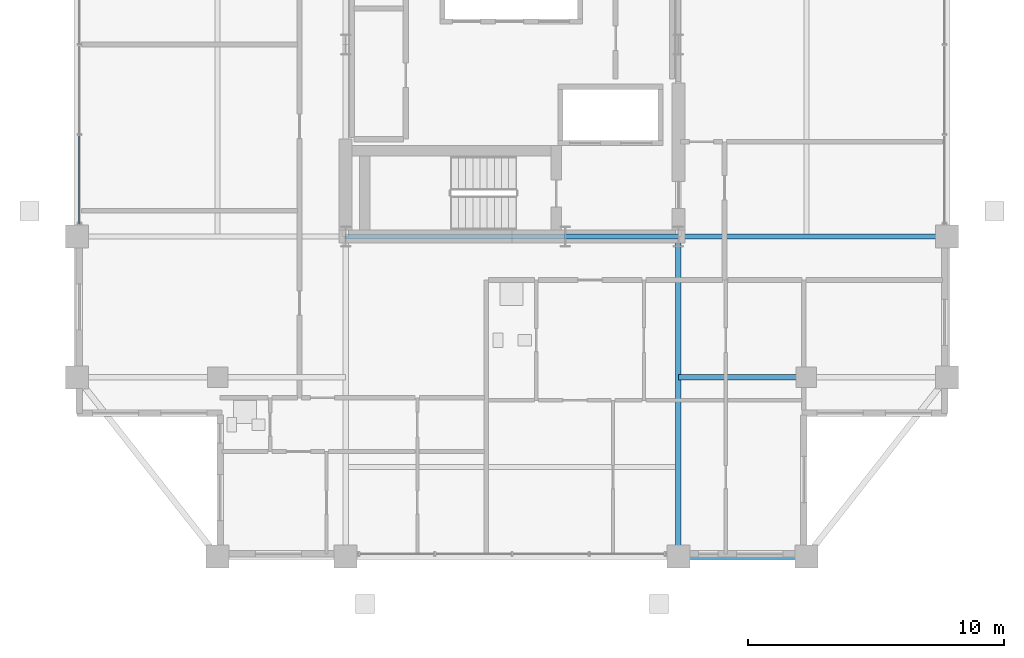
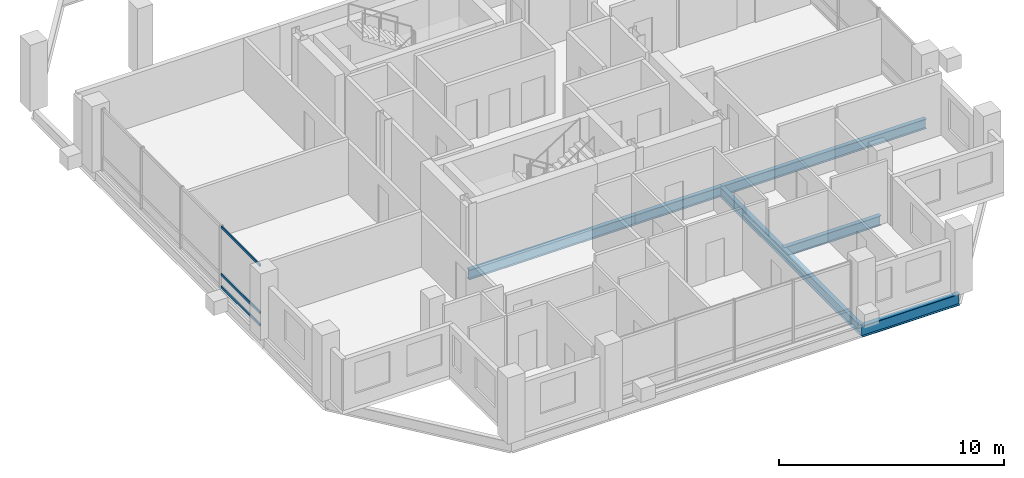
# One storey, part 5 of 16: 6 beams, 3 members, 1 element without a shape of its own.
"""IFC4 building model written with IfcOpenShell, lengths in metres."""

from ifc_helpers import new_model, si_unit, direction, frame, origin, origin_2d, place, context, subcontext, project, spatial, hollow_rectangle, i_section, extrude, material, layer, layer_set, material_profile, profile_set, type_object, element, aggregate, save


model = new_model("IFC4")

# Units and contexts
model_context = context("Model", 3, precision=1e-05, world=origin(), true_north=direction((0.0, 1.0)))
body_context = subcontext(model_context, "Body", "Model", "MODEL_VIEW")
ifc_project = project(units=[si_unit("LENGTHUNIT", "METRE"), si_unit("AREAUNIT", "SQUARE_METRE"), si_unit("VOLUMEUNIT", "CUBIC_METRE"), si_unit("PLANEANGLEUNIT", "RADIAN"), si_unit("MASSUNIT", "GRAM", prefix="KILO")], contexts=[model_context])

# Site, building, storey
site_placement = place(None, origin())
site = spatial("IfcSite", under=ifc_project, at=site_placement, CompositionType="ELEMENT")
building_placement = place(site_placement, origin())
building = spatial("IfcBuilding", under=site, at=building_placement, Name="Barlavira Tower and Art Museum", CompositionType="ELEMENT")
storey_placement = place(building_placement, frame((0.0, 0.0, 265.5)))
storey = spatial("IfcBuildingStorey", under=building, at=storey_placement, Name="L69", CompositionType="ELEMENT", Elevation=265.5)

# Curtain wall, members
ifc_material_1 = material(Name="Low-iron coastal laminated glass", Category="glass")
ifc_layer = layer(ifc_material_1, 0.2099609375, Name="Low-iron coastal laminated glass")
ifc_layer_set = layer_set([ifc_layer], Name="Low-iron coastal laminated glass")
curtain_wall_type = type_object("IfcCurtainWallType", Name="Pale-Metal Unitised Curtain Wall Zone 4", PredefinedType="NOTDEFINED", material=ifc_layer_set)
curtain_wall_placement = place(storey_placement, origin())
curtain_wall = element("IfcCurtainWall", 1, at=curtain_wall_placement, inside=storey, type_object=curtain_wall_type, Name="L69 Curtain Wall CW4-L69-W-B2", PredefinedType="NOTDEFINED")
ifc_material_2 = material(Name="Pale anodised aluminium", Category="aluminium")
ifc_material_profile_1 = material_profile(ifc_material_2, hollow_rectangle(XDim=0.06494140625, YDim=0.139892578125, WallThickness=0.00390625, at=origin_2d()), Name="ALU-TRAN 65x140x4")
ifc_profile_set_1 = profile_set([ifc_material_profile_1], Name="Pale anodised aluminium")
member_type = type_object("IfcMemberType", Name="Curtain Wall Pale-Metal Transom 65x140", PredefinedType="USERDEFINED", material=ifc_profile_set_1)
member_1_placement = place(storey_placement, frame((-16.89990234375, -3.56005859375, 0.070068359375), z_axis=(0.0, -1.0, 0.0), x_axis=(1.0, 0.0, 0.0)))
member_1 = element("IfcMember", 2, at=member_1_placement, type_object=member_type, Name="CW4-L69-W-B2 Transom 3.1", ObjectType="TRANSOM", PredefinedType="USERDEFINED", context=body_context, shape_type="SweptSolid", body=[
    extrude(hollow_rectangle(XDim=0.06494140625, YDim=0.139892578125, WallThickness=0.00390625, at=origin_2d()), origin(), (0.0, 0.0, 1.0), 3.425048828125),
])
member_2_placement = place(storey_placement, frame((-16.89990234375, -3.56005859375, 0.743896484375), z_axis=(0.0, -1.0, 0.0), x_axis=(1.0, 0.0, 0.0)))
member_2 = element("IfcMember", 3, at=member_2_placement, type_object=member_type, Name="CW4-L69-W-B2 Transom 3.2", ObjectType="TRANSOM", PredefinedType="USERDEFINED", context=body_context, shape_type="SweptSolid", body=[
    extrude(hollow_rectangle(XDim=0.06494140625, YDim=0.139892578125, WallThickness=0.00390625, at=origin_2d()), origin(), (0.0, 0.0, 1.0), 3.425048828125),
])
member_3_placement = place(storey_placement, frame((-16.89990234375, -3.56005859375, 3.31005859375), z_axis=(0.0, -1.0, 0.0), x_axis=(1.0, 0.0, 0.0)))
member_3 = element("IfcMember", 4, at=member_3_placement, type_object=member_type, Name="CW4-L69-W-B2 Transom 3.3", ObjectType="TRANSOM", PredefinedType="USERDEFINED", context=body_context, shape_type="SweptSolid", body=[
    extrude(hollow_rectangle(XDim=0.06494140625, YDim=0.139892578125, WallThickness=0.00390625, at=origin_2d()), origin(), (0.0, 0.0, 1.0), 3.425048828125),
])
aggregate(curtain_wall, [member_1, member_2, member_3])

# Beams
ifc_material_3 = material(Name="Steel S355", Category="steel")
ifc_material_profile_2 = material_profile(ifc_material_3, i_section(OverallWidth=0.22998046875, OverallDepth=0.616943359375, WebThickness=0.01318359375, FlangeThickness=0.022216796875, at=origin_2d()), Name="W610x140.0")
ifc_profile_set_2 = profile_set([ifc_material_profile_2], Name="Steel S355")
beam_type_1 = type_object("IfcBeamType", Name="Upper Shaft Spandrel Edge Beam W610x140 Steel S355", PredefinedType="SPANDREL", material=ifc_profile_set_2)
beam_1_placement = place(storey_placement, frame((6.5, -20.0, -0.528564453125), z_axis=(1.0, 0.0, 0.0), x_axis=(0.0, 1.0, 0.0)))
element("IfcBeam", 5, at=beam_1_placement, inside=storey, type_object=beam_type_1, Name="L69 Spandrel 3", PredefinedType="SPANDREL", context=body_context, shape_type="SweptSolid", body=[
    extrude(i_section(OverallWidth=0.22998046875, OverallDepth=0.616943359375, WebThickness=0.01318359375, FlangeThickness=0.022216796875, at=origin_2d()), origin(), (0.0, 0.0, 1.0), 5.0),
])
ifc_material_profile_3 = material_profile(ifc_material_3, i_section(OverallWidth=0.2109375, OverallDepth=0.5390625, WebThickness=0.01171875, FlangeThickness=0.018798828125, at=origin_2d()), Name="W530x109.0")
ifc_profile_set_3 = profile_set([ifc_material_profile_3], Name="Steel S355")
beam_type_2 = type_object("IfcBeamType", Name="Zone 3-4 Primary Floor Girder W530x109 Steel S355", PredefinedType="BEAM", material=ifc_profile_set_3)
beam_2_placement = place(storey_placement, frame((-6.5, -7.5, -0.489501953125), z_axis=(1.0, 0.0, 0.0), x_axis=(0.0, 1.0, 0.0)))
element("IfcBeam", 6, at=beam_2_placement, inside=storey, type_object=beam_type_2, Name="L69 Girder C-S1", PredefinedType="BEAM", context=body_context, shape_type="SweptSolid", body=[
    extrude(i_section(OverallWidth=0.2109375, OverallDepth=0.5390625, WebThickness=0.01171875, FlangeThickness=0.018798828125, at=origin_2d()), origin(), (0.0, 0.0, 1.0), 8.580078125),
])
beam_3_placement = place(storey_placement, frame((2.080078125, -7.5, -0.489501953125), z_axis=(1.0, 0.0, 0.0), x_axis=(0.0, 1.0, 0.0)))
element("IfcBeam", 7, at=beam_3_placement, inside=storey, type_object=beam_type_2, Name="L69 Girder C-S2", PredefinedType="BEAM", context=body_context, shape_type="SweptSolid", body=[
    extrude(i_section(OverallWidth=0.2109375, OverallDepth=0.5390625, WebThickness=0.01171875, FlangeThickness=0.018798828125, at=origin_2d()), origin(), (0.0, 0.0, 1.0), 4.419921875),
])
beam_4_placement = place(storey_placement, frame((6.5, -20.0, -0.489501953125), z_axis=(0.0, 1.0, 0.0), x_axis=(-1.0, 0.0, 0.0)))
element("IfcBeam", 8, at=beam_4_placement, inside=storey, type_object=beam_type_2, Name="L69 Girder R-S2", PredefinedType="BEAM", context=body_context, shape_type="SweptSolid", body=[
    extrude(i_section(OverallWidth=0.2109375, OverallDepth=0.5390625, WebThickness=0.01171875, FlangeThickness=0.018798828125, at=origin_2d()), origin(), (0.0, 0.0, 1.0), 12.5),
])
beam_5_placement = place(storey_placement, frame((6.5, -7.5, -0.489501953125), z_axis=(1.0, 0.0, 0.0), x_axis=(0.0, 1.0, 0.0)))
element("IfcBeam", 9, at=beam_5_placement, inside=storey, type_object=beam_type_2, Name="L69 Girder R-E1", PredefinedType="BEAM", context=body_context, shape_type="SweptSolid", body=[
    extrude(i_section(OverallWidth=0.2109375, OverallDepth=0.5390625, WebThickness=0.01171875, FlangeThickness=0.018798828125, at=origin_2d()), origin(), (0.0, 0.0, 1.0), 10.5),
])
beam_6_placement = place(storey_placement, frame((6.5, -13.0, -0.489501953125), z_axis=(1.0, 0.0, 0.0), x_axis=(0.0, 1.0, 0.0)))
element("IfcBeam", 10, at=beam_6_placement, inside=storey, type_object=beam_type_2, Name="L69 Girder I-S3", PredefinedType="BEAM", context=body_context, shape_type="SweptSolid", body=[
    extrude(i_section(OverallWidth=0.2109375, OverallDepth=0.5390625, WebThickness=0.01171875, FlangeThickness=0.018798828125, at=origin_2d()), origin(), (0.0, 0.0, 1.0), 5.0),
])

save(model, "model.ifc")
